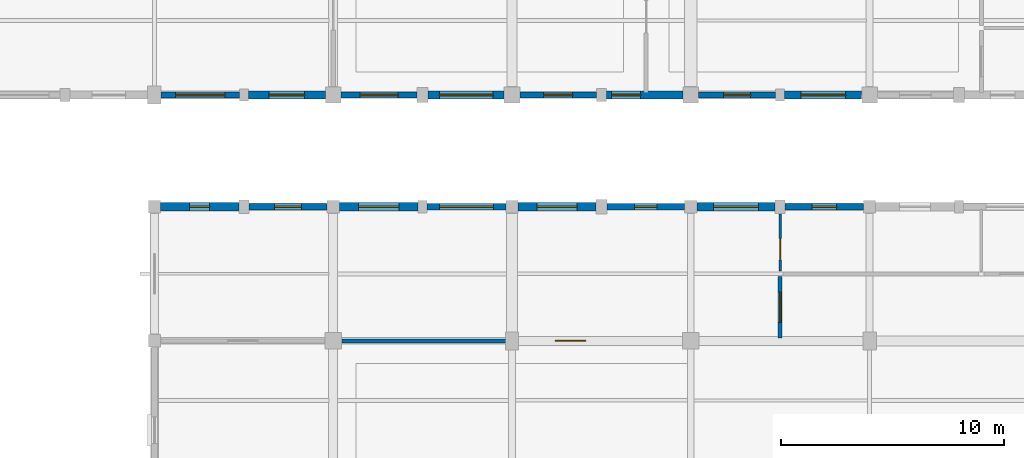
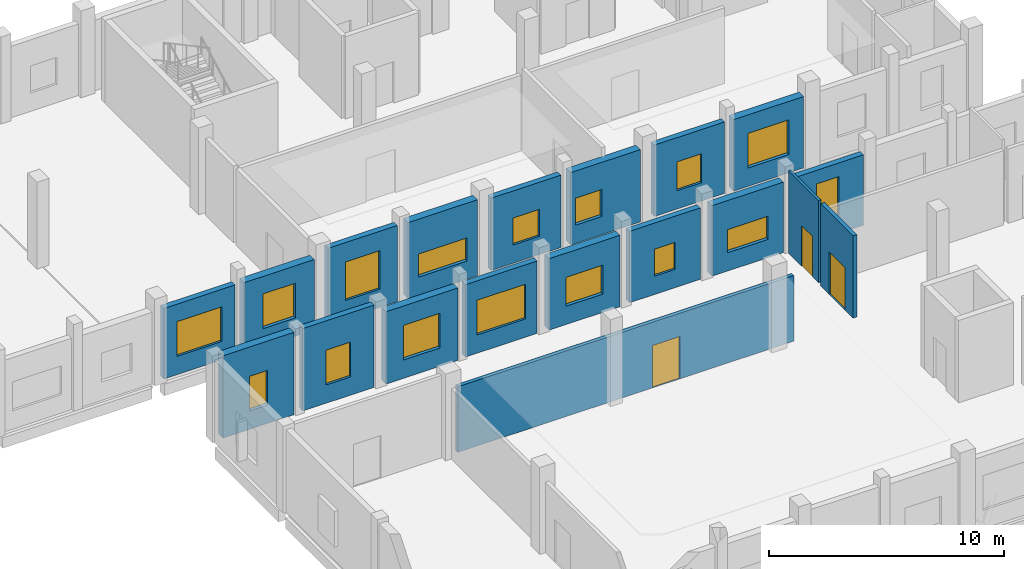
# One storey, part 48 of 77: 19 walls, 16 windows, 3 doors, 19 openings.
"""IFC4 building model written with IfcOpenShell, lengths in metres."""

from ifc_helpers import new_model, si_unit, direction, frame, frame_2d, origin, place, context, subcontext, project, spatial, rectangle, extrude, material, layer, layer_set, type_object, element, fill, save


model = new_model("IFC4")

# Units and contexts
model_context = context("Model", 3, precision=1e-05, world=origin(), true_north=direction((0.0, 1.0)))
body_context = subcontext(model_context, "Body", "Model", "MODEL_VIEW")
ifc_project = project(units=[si_unit("LENGTHUNIT", "METRE"), si_unit("AREAUNIT", "SQUARE_METRE"), si_unit("VOLUMEUNIT", "CUBIC_METRE"), si_unit("PLANEANGLEUNIT", "RADIAN"), si_unit("MASSUNIT", "GRAM", prefix="KILO")], contexts=[model_context])

# Site, building, storey
site_placement = place(None, origin())
site = spatial("IfcSite", under=ifc_project, at=site_placement, CompositionType="ELEMENT")
building_placement = place(site_placement, origin())
building = spatial("IfcBuilding", under=site, at=building_placement, Name="Luwemba Playhouse", CompositionType="ELEMENT")
storey_placement = place(building_placement, frame((0.0, 0.0, 9.300048828125)))
storey = spatial("IfcBuildingStorey", under=building, at=storey_placement, Name="L02", CompositionType="ELEMENT", Elevation=9.300048828125)

# Wall, opening, window
ifc_material_1 = material(Name="Clay facing brick obra vista masonry", Category="masonry")
ifc_layer_1 = layer(ifc_material_1, 0.3798828125)
ifc_layer_set_1 = layer_set([ifc_layer_1], Name="Clay facing brick obra vista masonry")
wall_type_1 = type_object("IfcWallType", Name="WAL-BRK-380", PredefinedType="SOLIDWALL", material=ifc_layer_set_1)
wall_1_placement = place(storey_placement, frame((132.27490234375, 90.0, 0.0), z_axis=(0.0, 0.0, 1.0), x_axis=(1.0, 0.0, 0.0)))
wall_1 = element("IfcWall", 1, at=wall_1_placement, inside=storey, type_object=wall_type_1, Name="L02 V4 exterior facade wall 0328", PredefinedType="SOLIDWALL", context=body_context, shape_type="SweptSolid", body=[
    extrude(rectangle(XDim=3.5, YDim=0.3798828125, at=frame_2d((1.75, 0.0))), origin(), (0.0, 0.0, 1.0), 4.27001953125),
])
opening_1_placement = place(wall_1_placement, frame((1.300048828125, 0.0, 0.949951171875)))
opening_1 = element("IfcOpeningElement", 2, at=opening_1_placement, cuts=wall_1, Name="Opening WN-18", PredefinedType="OPENING", context=body_context, shape_type="SweptSolid", body=[
    extrude(rectangle(XDim=0.89990234375, YDim=1.800048828125, at=frame_2d((0.449951171875, 0.89990234375))), frame((0.0, 0.199951171875, 0.0), z_axis=(0.0, -1.0, 0.0), x_axis=(1.0, 0.0, 0.0)), (0.0, 0.0, 1.0), 0.39990234375),
])
ifc_material_2 = material(Name="Solar-control double glazing in aluminium frame", Category="aluminium")
window_type_1 = type_object("IfcWindowType", Name="WIN-WN-18", PartitioningType="SINGLE_PANEL", PredefinedType="WINDOW", material=ifc_material_2)
window_1_placement = place(opening_1_placement, origin())
window_1 = element("IfcWindow", 3, at=window_1_placement, inside=storey, type_object=window_type_1, Name="L02 V4 scheduled window 0273", OverallHeight=1.800048828125, OverallWidth=0.89990234375, PartitioningType="SINGLE_PANEL", PredefinedType="WINDOW", context=body_context, shape_type="SweptSolid", body=[
    extrude(rectangle(XDim=0.89990234375, YDim=1.800048828125, at=frame_2d((0.449951171875, 0.89990234375))), frame((0.0, 0.030029296875, 0.0), z_axis=(0.0, -1.0, 0.0), x_axis=(1.0, 0.0, 0.0)), (0.0, 0.0, 1.0), 0.06005859375),
])
fill(opening_1, window_1)

wall_2_placement = place(storey_placement, frame((140.27490234375, 90.0, 0.0), z_axis=(0.0, 0.0, 1.0), x_axis=(1.0, 0.0, 0.0)))
wall_2 = element("IfcWall", 4, at=wall_2_placement, inside=storey, type_object=wall_type_1, Name="L02 V4 exterior facade wall 0330", PredefinedType="SOLIDWALL", context=body_context, shape_type="SweptSolid", body=[
    extrude(rectangle(XDim=3.525146484375, YDim=0.3798828125, at=frame_2d((1.7626953125, 0.0))), origin(), (0.0, 0.0, 1.0), 3.7548828125),
])
opening_2_placement = place(wall_2_placement, frame((0.862548828125, 0.0, 0.949951171875)))
opening_2 = element("IfcOpeningElement", 5, at=opening_2_placement, cuts=wall_2, Name="Opening WN-04", PredefinedType="OPENING", context=body_context, shape_type="SweptSolid", body=[
    extrude(rectangle(XDim=1.800048828125, YDim=1.800048828125, at=frame_2d((0.89990234375, 0.89990234375))), frame((0.0, 0.199951171875, 0.0), z_axis=(0.0, -1.0, 0.0), x_axis=(1.0, 0.0, 0.0)), (0.0, 0.0, 1.0), 0.39990234375),
])
window_type_2 = type_object("IfcWindowType", Name="WIN-WN-04", PartitioningType="DOUBLE_PANEL_VERTICAL", PredefinedType="WINDOW", material=ifc_material_2)
window_2_placement = place(opening_2_placement, origin())
window_2 = element("IfcWindow", 6, at=window_2_placement, inside=storey, type_object=window_type_2, Name="L02 V4 scheduled window 0275", OverallHeight=1.800048828125, OverallWidth=1.800048828125, PartitioningType="DOUBLE_PANEL_VERTICAL", PredefinedType="WINDOW", context=body_context, shape_type="SweptSolid", body=[
    extrude(rectangle(XDim=1.800048828125, YDim=1.800048828125, at=frame_2d((0.89990234375, 0.89990234375))), frame((0.0, 0.030029296875, 0.0), z_axis=(0.0, -1.0, 0.0), x_axis=(1.0, 0.0, 0.0)), (0.0, 0.0, 1.0), 0.06005859375),
])
fill(opening_2, window_2)

wall_3_placement = place(storey_placement, frame((148.27490234375, 90.0, 0.0), z_axis=(0.0, 0.0, 1.0), x_axis=(1.0, 0.0, 0.0)))
wall_3 = element("IfcWall", 7, at=wall_3_placement, inside=storey, type_object=wall_type_1, Name="L02 V4 exterior facade wall 0332", PredefinedType="SOLIDWALL", context=body_context, shape_type="SweptSolid", body=[
    extrude(rectangle(XDim=3.47509765625, YDim=0.3798828125, at=frame_2d((1.737548828125, 0.0))), origin(), (0.0, 0.0, 1.0), 3.704833984375),
])
opening_3_placement = place(wall_3_placement, frame((0.83740234375, 0.0, 0.949951171875)))
opening_3 = element("IfcOpeningElement", 8, at=opening_3_placement, cuts=wall_3, Name="Opening WN-10", PredefinedType="OPENING", context=body_context, shape_type="SweptSolid", body=[
    extrude(rectangle(XDim=1.800048828125, YDim=1.5, at=frame_2d((0.89990234375, 0.75))), frame((0.0, 0.199951171875, 0.0), z_axis=(0.0, -1.0, 0.0), x_axis=(1.0, 0.0, 0.0)), (0.0, 0.0, 1.0), 0.39990234375),
])
window_type_3 = type_object("IfcWindowType", Name="WIN-WN-10", PartitioningType="DOUBLE_PANEL_VERTICAL", PredefinedType="WINDOW", material=ifc_material_2)
window_3_placement = place(opening_3_placement, origin())
window_3 = element("IfcWindow", 9, at=window_3_placement, inside=storey, type_object=window_type_3, Name="L02 V4 scheduled window 0277", OverallHeight=1.5, OverallWidth=1.800048828125, PartitioningType="DOUBLE_PANEL_VERTICAL", PredefinedType="WINDOW", context=body_context, shape_type="SweptSolid", body=[
    extrude(rectangle(XDim=1.800048828125, YDim=1.5, at=frame_2d((0.89990234375, 0.75))), frame((0.0, 0.030029296875, 0.0), z_axis=(0.0, -1.0, 0.0), x_axis=(1.0, 0.0, 0.0)), (0.0, 0.0, 1.0), 0.06005859375),
])
fill(opening_3, window_3)

wall_4_placement = place(storey_placement, frame((156.27490234375, 90.0, 0.0), z_axis=(0.0, 0.0, 1.0), x_axis=(1.0, 0.0, 0.0)))
wall_4 = element("IfcWall", 10, at=wall_4_placement, inside=storey, type_object=wall_type_1, Name="L02 V4 exterior facade wall 0334", PredefinedType="SOLIDWALL", context=body_context, shape_type="SweptSolid", body=[
    extrude(rectangle(XDim=3.5, YDim=0.3798828125, at=frame_2d((1.75, 0.0))), origin(), (0.0, 0.0, 1.0), 3.655029296875),
])
opening_4_placement = place(wall_4_placement, frame((0.75, 0.0, 0.949951171875)))
opening_4 = element("IfcOpeningElement", 11, at=opening_4_placement, cuts=wall_4, Name="Opening WN-16", PredefinedType="OPENING", context=body_context, shape_type="SweptSolid", body=[
    extrude(rectangle(XDim=2.0, YDim=1.199951171875, at=frame_2d((1.0, 0.60009765625))), frame((0.0, 0.199951171875, 0.0), z_axis=(0.0, -1.0, 0.0), x_axis=(1.0, 0.0, 0.0)), (0.0, 0.0, 1.0), 0.39990234375),
])
window_type_4 = type_object("IfcWindowType", Name="WIN-WN-16", PartitioningType="DOUBLE_PANEL_HORIZONTAL", PredefinedType="WINDOW", material=ifc_material_2)
window_4_placement = place(opening_4_placement, origin())
window_4 = element("IfcWindow", 12, at=window_4_placement, inside=storey, type_object=window_type_4, Name="L02 V4 scheduled window 0279", OverallHeight=1.199951171875, OverallWidth=2.0, PartitioningType="DOUBLE_PANEL_HORIZONTAL", PredefinedType="WINDOW", context=body_context, shape_type="SweptSolid", body=[
    extrude(rectangle(XDim=2.0, YDim=1.199951171875, at=frame_2d((1.0, 0.60009765625))), frame((0.0, 0.030029296875, 0.0), z_axis=(0.0, -1.0, 0.0), x_axis=(1.0, 0.0, 0.0)), (0.0, 0.0, 1.0), 0.06005859375),
])
fill(opening_4, window_4)

wall_5_placement = place(storey_placement, frame((163.64990234375, 95.0, 0.0), z_axis=(0.0, 0.0, 1.0), x_axis=(-1.0, 0.0, 0.0)))
wall_5 = element("IfcWall", 13, at=wall_5_placement, inside=storey, type_object=wall_type_1, Name="L02 V6E exterior facade wall 0396", PredefinedType="SOLIDWALL", context=body_context, shape_type="SweptSolid", body=[
    extrude(rectangle(XDim=3.449951171875, YDim=0.3798828125, at=frame_2d((1.72509765625, 0.0))), origin(), (0.0, 0.0, 1.0), 3.704833984375),
])
opening_5_placement = place(wall_5_placement, frame((0.72509765625, 0.0, 0.949951171875)))
opening_5 = element("IfcOpeningElement", 14, at=opening_5_placement, cuts=wall_5, Name="Opening WN-05", PredefinedType="OPENING", context=body_context, shape_type="SweptSolid", body=[
    extrude(rectangle(XDim=2.0, YDim=1.800048828125, at=frame_2d((1.0, 0.89990234375))), frame((0.0, 0.199951171875, 0.0), z_axis=(0.0, -1.0, 0.0), x_axis=(1.0, 0.0, 0.0)), (0.0, 0.0, 1.0), 0.39990234375),
])
window_type_5 = type_object("IfcWindowType", Name="WIN-WN-05", PartitioningType="TRIPLE_PANEL_VERTICAL", PredefinedType="WINDOW", material=ifc_material_2)
window_5_placement = place(opening_5_placement, origin())
window_5 = element("IfcWindow", 15, at=window_5_placement, inside=storey, type_object=window_type_5, Name="L02 V6E scheduled window 0339", OverallHeight=1.800048828125, OverallWidth=2.0, PartitioningType="TRIPLE_PANEL_VERTICAL", PredefinedType="WINDOW", context=body_context, shape_type="SweptSolid", body=[
    extrude(rectangle(XDim=2.0, YDim=1.800048828125, at=frame_2d((1.0, 0.89990234375))), frame((0.0, 0.030029296875, 0.0), z_axis=(0.0, -1.0, 0.0), x_axis=(1.0, 0.0, 0.0)), (0.0, 0.0, 1.0), 0.06005859375),
])
fill(opening_5, window_5)

wall_6_placement = place(storey_placement, frame((155.64990234375, 95.0, 0.0), z_axis=(0.0, 0.0, 1.0), x_axis=(-1.0, 0.0, 0.0)))
wall_6 = element("IfcWall", 16, at=wall_6_placement, inside=storey, type_object=wall_type_1, Name="L02 V6E exterior facade wall 0398", PredefinedType="SOLIDWALL", context=body_context, shape_type="SweptSolid", body=[
    extrude(rectangle(XDim=3.4248046875, YDim=0.3798828125, at=frame_2d((1.71240234375, 0.0))), origin(), (0.0, 0.0, 1.0), 3.7548828125),
])
opening_6_placement = place(wall_6_placement, frame((1.892578125, 0.0, 0.949951171875)))
opening_6 = element("IfcOpeningElement", 17, at=opening_6_placement, cuts=wall_6, Name="Opening WN-14", PredefinedType="OPENING", context=body_context, shape_type="SweptSolid", body=[
    extrude(rectangle(XDim=1.300048828125, YDim=1.39990234375, at=frame_2d((0.64990234375, 0.699951171875))), frame((0.0, 0.199951171875, 0.0), z_axis=(0.0, -1.0, 0.0), x_axis=(1.0, 0.0, 0.0)), (0.0, 0.0, 1.0), 0.39990234375),
])
window_type_6 = type_object("IfcWindowType", Name="WIN-WN-14", PartitioningType="SINGLE_PANEL", PredefinedType="WINDOW", material=ifc_material_2)
window_6_placement = place(opening_6_placement, origin())
window_6 = element("IfcWindow", 18, at=window_6_placement, inside=storey, type_object=window_type_6, Name="L02 V6E scheduled window 0341", OverallHeight=1.39990234375, OverallWidth=1.300048828125, PartitioningType="TRIPLE_PANEL_VERTICAL", PredefinedType="WINDOW", context=body_context, shape_type="SweptSolid", body=[
    extrude(rectangle(XDim=1.300048828125, YDim=1.39990234375, at=frame_2d((0.64990234375, 0.699951171875))), frame((0.0, 0.030029296875, 0.0), z_axis=(0.0, -1.0, 0.0), x_axis=(1.0, 0.0, 0.0)), (0.0, 0.0, 1.0), 0.06005859375),
])
fill(opening_6, window_6)

wall_7_placement = place(storey_placement, frame((147.64990234375, 95.0, 0.0), z_axis=(0.0, 0.0, 1.0), x_axis=(-1.0, 0.0, 0.0)))
wall_7 = element("IfcWall", 19, at=wall_7_placement, inside=storey, type_object=wall_type_1, Name="L02 V6E exterior facade wall 0400", PredefinedType="SOLIDWALL", context=body_context, shape_type="SweptSolid", body=[
    extrude(rectangle(XDim=3.39990234375, YDim=0.3798828125, at=frame_2d((1.699951171875, 0.0))), origin(), (0.0, 0.0, 1.0), 3.954833984375),
])
opening_7_placement = place(wall_7_placement, frame((0.5, 0.0, 0.949951171875)))
opening_7 = element("IfcOpeningElement", 20, at=opening_7_placement, cuts=wall_7, Name="Opening WN-17", PredefinedType="OPENING", context=body_context, shape_type="SweptSolid", body=[
    extrude(rectangle(XDim=2.39990234375, YDim=1.199951171875, at=frame_2d((1.199951171875, 0.60009765625))), frame((0.0, 0.199951171875, 0.0), z_axis=(0.0, -1.0, 0.0), x_axis=(1.0, 0.0, 0.0)), (0.0, 0.0, 1.0), 0.39990234375),
])
window_type_7 = type_object("IfcWindowType", Name="WIN-WN-17", PartitioningType="TRIPLE_PANEL_HORIZONTAL", PredefinedType="WINDOW", material=ifc_material_2)
window_7_placement = place(opening_7_placement, origin())
window_7 = element("IfcWindow", 21, at=window_7_placement, inside=storey, type_object=window_type_7, Name="L02 V6E scheduled window 0343", OverallHeight=1.199951171875, OverallWidth=2.39990234375, PartitioningType="TRIPLE_PANEL_HORIZONTAL", PredefinedType="WINDOW", context=body_context, shape_type="SweptSolid", body=[
    extrude(rectangle(XDim=2.39990234375, YDim=1.199951171875, at=frame_2d((1.199951171875, 0.60009765625))), frame((0.0, 0.030029296875, 0.0), z_axis=(0.0, -1.0, 0.0), x_axis=(1.0, 0.0, 0.0)), (0.0, 0.0, 1.0), 0.06005859375),
])
fill(opening_7, window_7)

wall_8_placement = place(storey_placement, frame((139.64990234375, 95.0, 0.0), z_axis=(0.0, 0.0, 1.0), x_axis=(-1.0, 0.0, 0.0)))
wall_8 = element("IfcWall", 22, at=wall_8_placement, inside=storey, type_object=wall_type_1, Name="L02 V6E exterior facade wall 0402", PredefinedType="SOLIDWALL", context=body_context, shape_type="SweptSolid", body=[
    extrude(rectangle(XDim=3.449951171875, YDim=0.3798828125, at=frame_2d((1.72509765625, 0.0))), origin(), (0.0, 0.0, 1.0), 3.655029296875),
])
opening_8_placement = place(wall_8_placement, frame((0.925048828125, 0.0, 0.949951171875)))
opening_8 = element("IfcOpeningElement", 23, at=opening_8_placement, cuts=wall_8, Name="Opening WN-03", PredefinedType="OPENING", context=body_context, shape_type="SweptSolid", body=[
    extrude(rectangle(XDim=1.60009765625, YDim=1.800048828125, at=frame_2d((0.800048828125, 0.89990234375))), frame((0.0, 0.199951171875, 0.0), z_axis=(0.0, -1.0, 0.0), x_axis=(1.0, 0.0, 0.0)), (0.0, 0.0, 1.0), 0.39990234375),
])
window_type_8 = type_object("IfcWindowType", Name="WIN-WN-03", PartitioningType="DOUBLE_PANEL_VERTICAL", PredefinedType="WINDOW", material=ifc_material_2)
window_8_placement = place(opening_8_placement, origin())
window_8 = element("IfcWindow", 24, at=window_8_placement, inside=storey, type_object=window_type_8, Name="L02 V6E scheduled window 0345", OverallHeight=1.800048828125, OverallWidth=1.60009765625, PartitioningType="DOUBLE_PANEL_VERTICAL", PredefinedType="WINDOW", context=body_context, shape_type="SweptSolid", body=[
    extrude(rectangle(XDim=1.60009765625, YDim=1.800048828125, at=frame_2d((0.800048828125, 0.89990234375))), frame((0.0, 0.030029296875, 0.0), z_axis=(0.0, -1.0, 0.0), x_axis=(1.0, 0.0, 0.0)), (0.0, 0.0, 1.0), 0.06005859375),
])
fill(opening_8, window_8)

# Wall, opening, door
ifc_material_3 = material(Name="Moisture-resistant sanitary partition", Category="gypsum")
ifc_layer_2 = layer(ifc_material_3, 0.1201171875)
ifc_layer_set_2 = layer_set([ifc_layer_2], Name="Moisture-resistant sanitary partition")
wall_type_2 = type_object("IfcWallType", Name="WAL-INT-120", PredefinedType="PARTITIONING", material=ifc_layer_set_2)
wall_9_placement = place(storey_placement, frame((160.0, 87.1201171875, 0.0), z_axis=(0.0, 0.0, 1.0), x_axis=(0.0, 1.0, 0.0)))
wall_9 = element("IfcWall", 25, at=wall_9_placement, inside=storey, type_object=wall_type_2, Name="L02 V4 interior partition 0182", PredefinedType="PARTITIONING", context=body_context, shape_type="SweptSolid", body=[
    extrude(rectangle(XDim=2.559814453125, YDim=0.1201171875, at=frame_2d((1.27978515625, 0.0))), origin(), (0.0, 0.0, 1.0), 4.27001953125),
])
opening_9_placement = place(wall_9_placement, frame((0.497802734375, 0.0, 0.0)))
opening_9 = element("IfcOpeningElement", 26, at=opening_9_placement, cuts=wall_9, Name="Opening D-WC1", PredefinedType="OPENING", context=body_context, shape_type="SweptSolid", body=[
    extrude(rectangle(XDim=0.949951171875, YDim=2.10009765625, at=frame_2d((0.47509765625, 1.050048828125))), frame((0.0, 0.070068359375, 0.0), z_axis=(0.0, -1.0, 0.0), x_axis=(1.0, 0.0, 0.0)), (0.0, 0.0, 1.0), 0.14013671875),
])
ifc_material_4 = material(Name="Moisture-resistant laminate door", Category="wood")
door_type_1 = type_object("IfcDoorType", Name="DR-WC-095", OperationType="NOTDEFINED", PredefinedType="DOOR", material=ifc_material_4)
door_1_placement = place(opening_9_placement, origin())
door_1 = element("IfcDoor", 27, at=door_1_placement, inside=storey, type_object=door_type_1, Name="L02 Broadcast Floor Corridor to Broadcast Floor Toilets door", OperationType="SINGLE_SWING_LEFT", OverallHeight=2.10009765625, OverallWidth=0.949951171875, PredefinedType="DOOR", context=body_context, shape_type="SweptSolid", body=[
    extrude(rectangle(XDim=0.949951171875, YDim=2.10009765625, at=frame_2d((0.47509765625, 1.050048828125))), frame((0.0, 0.02490234375, 0.0), z_axis=(0.0, -1.0, 0.0), x_axis=(1.0, 0.0, 0.0)), (0.0, 0.0, 1.0), 0.050048828125),
])
fill(opening_9, door_1)

ifc_material_5 = material(Name="Double-stud acoustic gypsum partition", Category="gypsum")
ifc_layer_3 = layer(ifc_material_5, 0.179931640625)
ifc_layer_set_3 = layer_set([ifc_layer_3], Name="Double-stud acoustic gypsum partition")
wall_type_3 = type_object("IfcWallType", Name="WAL-INT-180", PredefinedType="PARTITIONING", material=ifc_layer_set_3)
wall_10_placement = place(storey_placement, frame((140.39501953125, 84.0, 0.0), z_axis=(0.0, 0.0, 1.0), x_axis=(1.0, 0.0, 0.0)))
wall_10 = element("IfcWall", 28, at=wall_10_placement, inside=storey, type_object=wall_type_3, Name="L02 V4 interior partition 0179", PredefinedType="PARTITIONING", context=body_context, shape_type="SweptSolid", body=[
    extrude(rectangle(XDim=16.48486328125, YDim=0.179931640625, at=frame_2d((8.242431640625, 0.0))), origin(), (0.0, 0.0, 1.0), 3.405029296875),
])
opening_10_placement = place(wall_10_placement, frame((9.545654296875, 0.0, 0.0)))
opening_10 = element("IfcOpeningElement", 29, at=opening_10_placement, cuts=wall_10, Name="Opening D-STU1", PredefinedType="OPENING", context=body_context, shape_type="SweptSolid", body=[
    extrude(rectangle(XDim=1.35009765625, YDim=2.199951171875, at=frame_2d((0.675048828125, 1.10009765625))), frame((0.0, 0.099853515625, 0.0), z_axis=(0.0, -1.0, 0.0), x_axis=(1.0, 0.0, 0.0)), (0.0, 0.0, 1.0), 0.199951171875),
])
ifc_material_6 = material(Name="Acoustic studio door", Category="wood")
door_type_2 = type_object("IfcDoorType", Name="DR-STU-135", OperationType="NOTDEFINED", PredefinedType="DOOR", material=ifc_material_6)
door_2_placement = place(opening_10_placement, origin())
door_2 = element("IfcDoor", 30, at=door_2_placement, inside=storey, type_object=door_type_2, Name="L02 Live Cultural Broadcast Studio to Broadcast Floor Corridor door", OperationType="SINGLE_SWING_RIGHT", OverallHeight=2.199951171875, OverallWidth=1.35009765625, PredefinedType="DOOR", context=body_context, shape_type="SweptSolid", body=[
    extrude(rectangle(XDim=1.35009765625, YDim=2.199951171875, at=frame_2d((0.675048828125, 1.10009765625))), frame((0.0, 0.02490234375, 0.0), z_axis=(0.0, -1.0, 0.0), x_axis=(1.0, 0.0, 0.0)), (0.0, 0.0, 1.0), 0.050048828125),
])
fill(opening_10, door_2)

wall_11_placement = place(storey_placement, frame((160.0, 84.1201171875, 0.0), z_axis=(0.0, 0.0, 1.0), x_axis=(0.0, 1.0, 0.0)))
wall_11 = element("IfcWall", 31, at=wall_11_placement, inside=storey, type_object=wall_type_3, Name="L02 V4 interior partition 0181", PredefinedType="PARTITIONING", context=body_context, shape_type="SweptSolid", body=[
    extrude(rectangle(XDim=2.759765625, YDim=0.179931640625, at=frame_2d((1.3798828125, 0.0))), origin(), (0.0, 0.0, 1.0), 4.27001953125),
])
opening_11_placement = place(wall_11_placement, frame((0.705078125, 0.0, 0.0)))
opening_11 = element("IfcOpeningElement", 32, at=opening_11_placement, cuts=wall_11, Name="Opening D-STU1", PredefinedType="OPENING", context=body_context, shape_type="SweptSolid", body=[
    extrude(rectangle(XDim=1.35009765625, YDim=2.199951171875, at=frame_2d((0.675048828125, 1.10009765625))), frame((0.0, 0.099853515625, 0.0), z_axis=(0.0, -1.0, 0.0), x_axis=(1.0, 0.0, 0.0)), (0.0, 0.0, 1.0), 0.199951171875),
])
door_3_placement = place(opening_11_placement, origin())
door_3 = element("IfcDoor", 33, at=door_3_placement, inside=storey, type_object=door_type_2, Name="L02 Broadcast Floor Corridor to Broadcast Master Control Room door", OperationType="SINGLE_SWING_RIGHT", OverallHeight=2.199951171875, OverallWidth=1.35009765625, PredefinedType="DOOR", context=body_context, shape_type="SweptSolid", body=[
    extrude(rectangle(XDim=1.35009765625, YDim=2.199951171875, at=frame_2d((0.675048828125, 1.10009765625))), frame((0.0, 0.02490234375, 0.0), z_axis=(0.0, -1.0, 0.0), x_axis=(1.0, 0.0, 0.0)), (0.0, 0.0, 1.0), 0.050048828125),
])
fill(opening_11, door_3)

# Wall, opening, window
ifc_material_7 = material(Name="Structural timber GL24h infill", Category="wood")
ifc_layer_4 = layer(ifc_material_7, 0.280029296875)
ifc_layer_set_4 = layer_set([ifc_layer_4], Name="Structural timber GL24h infill")
wall_type_4 = type_object("IfcWallType", Name="WAL-TIM-280", PredefinedType="SOLIDWALL", material=ifc_layer_set_4)
wall_12_placement = place(storey_placement, frame((136.22509765625, 90.0, 0.0), z_axis=(0.0, 0.0, 1.0), x_axis=(1.0, 0.0, 0.0)))
wall_12 = element("IfcWall", 34, at=wall_12_placement, inside=storey, type_object=wall_type_4, Name="L02 V4 exterior facade wall 0329", PredefinedType="SOLIDWALL", context=body_context, shape_type="SweptSolid", body=[
    extrude(rectangle(XDim=3.5, YDim=0.280029296875, at=frame_2d((1.75, 0.0))), origin(), (0.0, 0.0, 1.0), 4.27001953125),
])
opening_12_placement = place(wall_12_placement, frame((1.14990234375, 0.0, 0.949951171875)))
opening_12 = element("IfcOpeningElement", 35, at=opening_12_placement, cuts=wall_12, Name="Opening WN-01", PredefinedType="OPENING", context=body_context, shape_type="SweptSolid", body=[
    extrude(rectangle(XDim=1.199951171875, YDim=1.800048828125, at=frame_2d((0.60009765625, 0.89990234375))), frame((0.0, 0.14990234375, 0.0), z_axis=(0.0, -1.0, 0.0), x_axis=(1.0, 0.0, 0.0)), (0.0, 0.0, 1.0), 0.300048828125),
])
window_type_9 = type_object("IfcWindowType", Name="WIN-WN-01", PartitioningType="SINGLE_PANEL", PredefinedType="WINDOW", material=ifc_material_2)
window_9_placement = place(opening_12_placement, origin())
window_9 = element("IfcWindow", 36, at=window_9_placement, inside=storey, type_object=window_type_9, Name="L02 V4 scheduled window 0274", OverallHeight=1.800048828125, OverallWidth=1.199951171875, PartitioningType="SINGLE_PANEL", PredefinedType="WINDOW", context=body_context, shape_type="SweptSolid", body=[
    extrude(rectangle(XDim=1.199951171875, YDim=1.800048828125, at=frame_2d((0.60009765625, 0.89990234375))), frame((0.0, 0.030029296875, 0.0), z_axis=(0.0, -1.0, 0.0), x_axis=(1.0, 0.0, 0.0)), (0.0, 0.0, 1.0), 0.06005859375),
])
fill(opening_12, window_9)

wall_13_placement = place(storey_placement, frame((144.199951171875, 90.0, 0.0), z_axis=(0.0, 0.0, 1.0), x_axis=(1.0, 0.0, 0.0)))
wall_13 = element("IfcWall", 37, at=wall_13_placement, inside=storey, type_object=wall_type_4, Name="L02 V4 exterior facade wall 0331", PredefinedType="SOLIDWALL", context=body_context, shape_type="SweptSolid", body=[
    extrude(rectangle(XDim=3.525146484375, YDim=0.280029296875, at=frame_2d((1.7626953125, 0.0))), origin(), (0.0, 0.0, 1.0), 3.7548828125),
])
opening_13_placement = place(wall_13_placement, frame((0.5625, 0.0, 0.949951171875)))
opening_13 = element("IfcOpeningElement", 38, at=opening_13_placement, cuts=wall_13, Name="Opening WN-07", PredefinedType="OPENING", context=body_context, shape_type="SweptSolid", body=[
    extrude(rectangle(XDim=2.39990234375, YDim=1.800048828125, at=frame_2d((1.199951171875, 0.89990234375))), frame((0.0, 0.14990234375, 0.0), z_axis=(0.0, -1.0, 0.0), x_axis=(1.0, 0.0, 0.0)), (0.0, 0.0, 1.0), 0.300048828125),
])
window_type_10 = type_object("IfcWindowType", Name="WIN-WN-07", PartitioningType="TRIPLE_PANEL_VERTICAL", PredefinedType="WINDOW", material=ifc_material_2)
window_10_placement = place(opening_13_placement, origin())
window_10 = element("IfcWindow", 39, at=window_10_placement, inside=storey, type_object=window_type_10, Name="L02 V4 scheduled window 0276", OverallHeight=1.800048828125, OverallWidth=2.39990234375, PartitioningType="TRIPLE_PANEL_VERTICAL", PredefinedType="WINDOW", context=body_context, shape_type="SweptSolid", body=[
    extrude(rectangle(XDim=2.39990234375, YDim=1.800048828125, at=frame_2d((1.199951171875, 0.89990234375))), frame((0.0, 0.030029296875, 0.0), z_axis=(0.0, -1.0, 0.0), x_axis=(1.0, 0.0, 0.0)), (0.0, 0.0, 1.0), 0.06005859375),
])
fill(opening_13, window_10)

wall_14_placement = place(storey_placement, frame((152.25, 90.0, 0.0), z_axis=(0.0, 0.0, 1.0), x_axis=(1.0, 0.0, 0.0)))
wall_14 = element("IfcWall", 40, at=wall_14_placement, inside=storey, type_object=wall_type_4, Name="L02 V4 exterior facade wall 0333", PredefinedType="SOLIDWALL", context=body_context, shape_type="SweptSolid", body=[
    extrude(rectangle(XDim=3.47509765625, YDim=0.280029296875, at=frame_2d((1.737548828125, 0.0))), origin(), (0.0, 0.0, 1.0), 3.704833984375),
])
opening_14_placement = place(wall_14_placement, frame((1.237548828125, 0.0, 0.949951171875)))
opening_14 = element("IfcOpeningElement", 41, at=opening_14_placement, cuts=wall_14, Name="Opening WN-13", PredefinedType="OPENING", context=body_context, shape_type="SweptSolid", body=[
    extrude(rectangle(XDim=1.0, YDim=1.39990234375, at=frame_2d((0.5, 0.699951171875))), frame((0.0, 0.14990234375, 0.0), z_axis=(0.0, -1.0, 0.0), x_axis=(1.0, 0.0, 0.0)), (0.0, 0.0, 1.0), 0.300048828125),
])
window_type_11 = type_object("IfcWindowType", Name="WIN-WN-13", PartitioningType="SINGLE_PANEL", PredefinedType="WINDOW", material=ifc_material_2)
window_11_placement = place(opening_14_placement, origin())
window_11 = element("IfcWindow", 42, at=window_11_placement, inside=storey, type_object=window_type_11, Name="L02 V4 scheduled window 0278", OverallHeight=1.39990234375, OverallWidth=1.0, PartitioningType="SINGLE_PANEL", PredefinedType="WINDOW", context=body_context, shape_type="SweptSolid", body=[
    extrude(rectangle(XDim=1.0, YDim=1.39990234375, at=frame_2d((0.5, 0.699951171875))), frame((0.0, 0.030029296875, 0.0), z_axis=(0.0, -1.0, 0.0), x_axis=(1.0, 0.0, 0.0)), (0.0, 0.0, 1.0), 0.06005859375),
])
fill(opening_14, window_11)

wall_15_placement = place(storey_placement, frame((160.22509765625, 90.0, 0.0), z_axis=(0.0, 0.0, 1.0), x_axis=(1.0, 0.0, 0.0)))
wall_15 = element("IfcWall", 43, at=wall_15_placement, inside=storey, type_object=wall_type_4, Name="L02 V4 exterior facade wall 0335", PredefinedType="SOLIDWALL", context=body_context, shape_type="SweptSolid", body=[
    extrude(rectangle(XDim=3.5, YDim=0.280029296875, at=frame_2d((1.75, 0.0))), origin(), (0.0, 0.0, 1.0), 3.655029296875),
])
opening_15_placement = place(wall_15_placement, frame((1.199951171875, 0.0, 0.949951171875)))
opening_15 = element("IfcOpeningElement", 44, at=opening_15_placement, cuts=wall_15, Name="Opening WN-19", PredefinedType="OPENING", context=body_context, shape_type="SweptSolid", body=[
    extrude(rectangle(XDim=1.10009765625, YDim=2.0, at=frame_2d((0.550048828125, 1.0))), frame((0.0, 0.14990234375, 0.0), z_axis=(0.0, -1.0, 0.0), x_axis=(1.0, 0.0, 0.0)), (0.0, 0.0, 1.0), 0.300048828125),
])
window_type_12 = type_object("IfcWindowType", Name="WIN-WN-19", PartitioningType="SINGLE_PANEL", PredefinedType="WINDOW", material=ifc_material_2)
window_12_placement = place(opening_15_placement, origin())
window_12 = element("IfcWindow", 45, at=window_12_placement, inside=storey, type_object=window_type_12, Name="L02 V4 scheduled window 0280", OverallHeight=2.0, OverallWidth=1.10009765625, PartitioningType="SINGLE_PANEL", PredefinedType="WINDOW", context=body_context, shape_type="SweptSolid", body=[
    extrude(rectangle(XDim=1.10009765625, YDim=2.0, at=frame_2d((0.550048828125, 1.0))), frame((0.0, 0.030029296875, 0.0), z_axis=(0.0, -1.0, 0.0), x_axis=(1.0, 0.0, 0.0)), (0.0, 0.0, 1.0), 0.06005859375),
])
fill(opening_15, window_12)

wall_16_placement = place(storey_placement, frame((159.800048828125, 95.0, 0.0), z_axis=(0.0, 0.0, 1.0), x_axis=(-1.0, 0.0, 0.0)))
wall_16 = element("IfcWall", 46, at=wall_16_placement, inside=storey, type_object=wall_type_4, Name="L02 V6E exterior facade wall 0397", PredefinedType="SOLIDWALL", context=body_context, shape_type="SweptSolid", body=[
    extrude(rectangle(XDim=3.449951171875, YDim=0.280029296875, at=frame_2d((1.72509765625, 0.0))), origin(), (0.0, 0.0, 1.0), 3.704833984375),
])
opening_16_placement = place(wall_16_placement, frame((1.125, 0.0, 0.949951171875)))
opening_16 = element("IfcOpeningElement", 47, at=opening_16_placement, cuts=wall_16, Name="Opening WN-08", PredefinedType="OPENING", context=body_context, shape_type="SweptSolid", body=[
    extrude(rectangle(XDim=1.199951171875, YDim=1.5, at=frame_2d((0.60009765625, 0.75))), frame((0.0, 0.14990234375, 0.0), z_axis=(0.0, -1.0, 0.0), x_axis=(1.0, 0.0, 0.0)), (0.0, 0.0, 1.0), 0.300048828125),
])
window_type_13 = type_object("IfcWindowType", Name="WIN-WN-08", PartitioningType="SINGLE_PANEL", PredefinedType="WINDOW", material=ifc_material_2)
window_13_placement = place(opening_16_placement, origin())
window_13 = element("IfcWindow", 48, at=window_13_placement, inside=storey, type_object=window_type_13, Name="L02 V6E scheduled window 0340", OverallHeight=1.5, OverallWidth=1.199951171875, PartitioningType="SINGLE_PANEL", PredefinedType="WINDOW", context=body_context, shape_type="SweptSolid", body=[
    extrude(rectangle(XDim=1.199951171875, YDim=1.5, at=frame_2d((0.60009765625, 0.75))), frame((0.0, 0.030029296875, 0.0), z_axis=(0.0, -1.0, 0.0), x_axis=(1.0, 0.0, 0.0)), (0.0, 0.0, 1.0), 0.06005859375),
])
fill(opening_16, window_13)

wall_17_placement = place(storey_placement, frame((151.77490234375, 95.0, 0.0), z_axis=(0.0, 0.0, 1.0), x_axis=(-1.0, 0.0, 0.0)))
wall_17 = element("IfcWall", 49, at=wall_17_placement, inside=storey, type_object=wall_type_4, Name="L02 V6E exterior facade wall 0399", PredefinedType="SOLIDWALL", context=body_context, shape_type="SweptSolid", body=[
    extrude(rectangle(XDim=3.4248046875, YDim=0.280029296875, at=frame_2d((1.71240234375, 0.0))), origin(), (0.0, 0.0, 1.0), 3.7548828125),
])
opening_17_placement = place(wall_17_placement, frame((1.0625, 0.0, 0.949951171875)))
opening_17 = element("IfcOpeningElement", 50, at=opening_17_placement, cuts=wall_17, Name="Opening WN-14", PredefinedType="OPENING", context=body_context, shape_type="SweptSolid", body=[
    extrude(rectangle(XDim=1.300048828125, YDim=1.39990234375, at=frame_2d((0.64990234375, 0.699951171875))), frame((0.0, 0.14990234375, 0.0), z_axis=(0.0, -1.0, 0.0), x_axis=(1.0, 0.0, 0.0)), (0.0, 0.0, 1.0), 0.300048828125),
])
window_14_placement = place(opening_17_placement, origin())
window_14 = element("IfcWindow", 51, at=window_14_placement, inside=storey, type_object=window_type_6, Name="L02 V6E scheduled window 0342", OverallHeight=1.39990234375, OverallWidth=1.300048828125, PartitioningType="SINGLE_PANEL", PredefinedType="WINDOW", context=body_context, shape_type="SweptSolid", body=[
    extrude(rectangle(XDim=1.300048828125, YDim=1.39990234375, at=frame_2d((0.64990234375, 0.699951171875))), frame((0.0, 0.030029296875, 0.0), z_axis=(0.0, -1.0, 0.0), x_axis=(1.0, 0.0, 0.0)), (0.0, 0.0, 1.0), 0.06005859375),
])
fill(opening_17, window_14)

wall_18_placement = place(storey_placement, frame((143.75, 95.0, 0.0), z_axis=(0.0, 0.0, 1.0), x_axis=(-1.0, 0.0, 0.0)))
wall_18 = element("IfcWall", 52, at=wall_18_placement, inside=storey, type_object=wall_type_4, Name="L02 V6E exterior facade wall 0401", PredefinedType="SOLIDWALL", context=body_context, shape_type="SweptSolid", body=[
    extrude(rectangle(XDim=3.39990234375, YDim=0.280029296875, at=frame_2d((1.699951171875, 0.0))), origin(), (0.0, 0.0, 1.0), 3.954833984375),
])
opening_18_placement = place(wall_18_placement, frame((0.85009765625, 0.0, 0.949951171875)))
opening_18 = element("IfcOpeningElement", 53, at=opening_18_placement, cuts=wall_18, Name="Opening WN-20", PredefinedType="OPENING", context=body_context, shape_type="SweptSolid", body=[
    extrude(rectangle(XDim=1.699951171875, YDim=2.0, at=frame_2d((0.85009765625, 1.0))), frame((0.0, 0.14990234375, 0.0), z_axis=(0.0, -1.0, 0.0), x_axis=(1.0, 0.0, 0.0)), (0.0, 0.0, 1.0), 0.300048828125),
])
window_type_14 = type_object("IfcWindowType", Name="WIN-WN-20", PartitioningType="DOUBLE_PANEL_VERTICAL", PredefinedType="WINDOW", material=ifc_material_2)
window_15_placement = place(opening_18_placement, origin())
window_15 = element("IfcWindow", 54, at=window_15_placement, inside=storey, type_object=window_type_14, Name="L02 V6E scheduled window 0344", OverallHeight=2.0, OverallWidth=1.699951171875, PartitioningType="DOUBLE_PANEL_VERTICAL", PredefinedType="WINDOW", context=body_context, shape_type="SweptSolid", body=[
    extrude(rectangle(XDim=1.699951171875, YDim=2.0, at=frame_2d((0.85009765625, 1.0))), frame((0.0, 0.030029296875, 0.0), z_axis=(0.0, -1.0, 0.0), x_axis=(1.0, 0.0, 0.0)), (0.0, 0.0, 1.0), 0.06005859375),
])
fill(opening_18, window_15)

wall_19_placement = place(storey_placement, frame((135.800048828125, 95.0, 0.0), z_axis=(0.0, 0.0, 1.0), x_axis=(-1.0, 0.0, 0.0)))
wall_19 = element("IfcWall", 55, at=wall_19_placement, inside=storey, type_object=wall_type_4, Name="L02 V6E exterior facade wall 0403", PredefinedType="SOLIDWALL", context=body_context, shape_type="SweptSolid", body=[
    extrude(rectangle(XDim=3.5, YDim=0.280029296875, at=frame_2d((1.75, 0.0))), origin(), (0.0, 0.0, 1.0), 3.655029296875),
])
opening_19_placement = place(wall_19_placement, frame((0.64990234375, 0.0, 0.949951171875)))
opening_19 = element("IfcOpeningElement", 56, at=opening_19_placement, cuts=wall_19, Name="Opening WN-06", PredefinedType="OPENING", context=body_context, shape_type="SweptSolid", body=[
    extrude(rectangle(XDim=2.199951171875, YDim=1.800048828125, at=frame_2d((1.10009765625, 0.89990234375))), frame((0.0, 0.14990234375, 0.0), z_axis=(0.0, -1.0, 0.0), x_axis=(1.0, 0.0, 0.0)), (0.0, 0.0, 1.0), 0.300048828125),
])
window_type_15 = type_object("IfcWindowType", Name="WIN-WN-06", PartitioningType="TRIPLE_PANEL_VERTICAL", PredefinedType="WINDOW", material=ifc_material_2)
window_16_placement = place(opening_19_placement, origin())
window_16 = element("IfcWindow", 57, at=window_16_placement, inside=storey, type_object=window_type_15, Name="L02 V6E scheduled window 0346", OverallHeight=1.800048828125, OverallWidth=2.199951171875, PartitioningType="TRIPLE_PANEL_VERTICAL", PredefinedType="WINDOW", context=body_context, shape_type="SweptSolid", body=[
    extrude(rectangle(XDim=2.199951171875, YDim=1.800048828125, at=frame_2d((1.10009765625, 0.89990234375))), frame((0.0, 0.030029296875, 0.0), z_axis=(0.0, -1.0, 0.0), x_axis=(1.0, 0.0, 0.0)), (0.0, 0.0, 1.0), 0.06005859375),
])
fill(opening_19, window_16)

save(model, "model.ifc")
